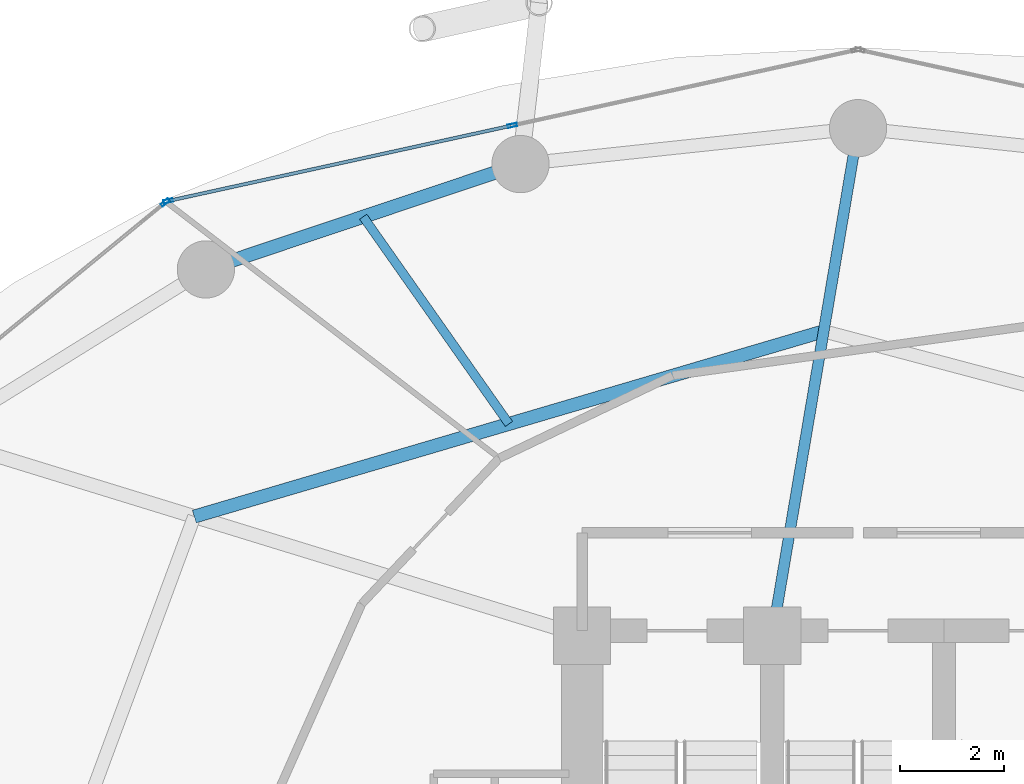
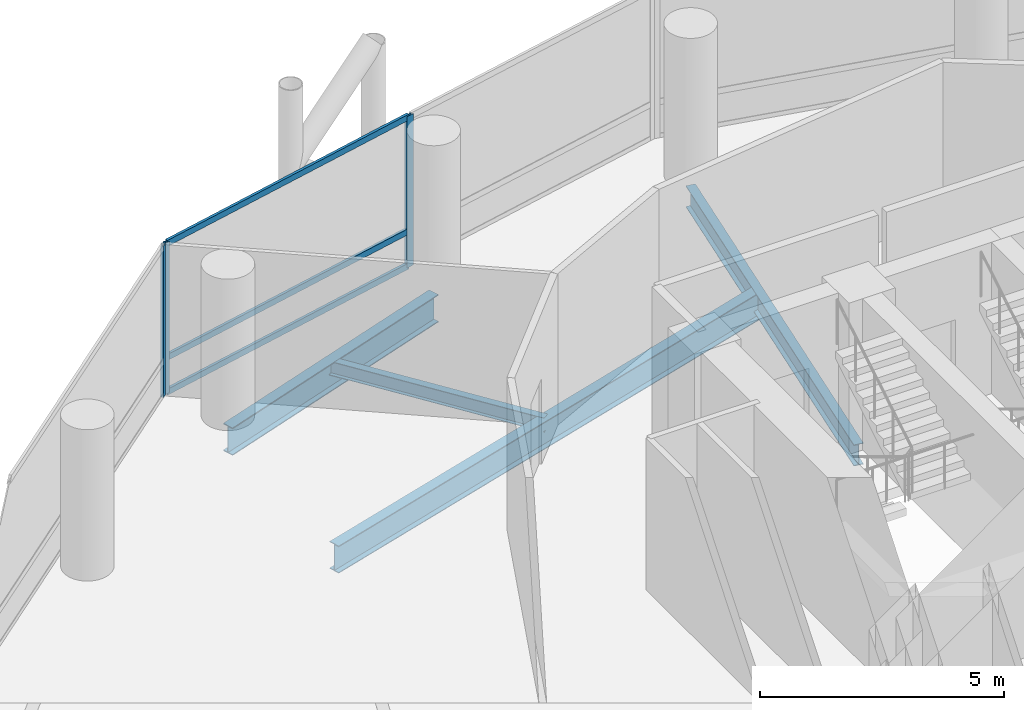
# One storey, part 15 of 24: 6 members, 4 beams, 2 elements without a shape of their own.
"""IFC4 building model written with IfcOpenShell, lengths in metres."""

from ifc_helpers import new_model, si_unit, direction, frame, origin, origin_2d, place, context, subcontext, project, spatial, hollow_rectangle, i_section, extrude, material, layer, layer_set, material_profile, profile_set, type_object, element, aggregate, save


model = new_model("IFC4")

# Units and contexts
model_context = context("Model", 3, precision=1e-05, world=origin(), true_north=direction((0.0, 1.0)))
body_context = subcontext(model_context, "Body", "Model", "MODEL_VIEW")
ifc_project = project(units=[si_unit("LENGTHUNIT", "METRE"), si_unit("AREAUNIT", "SQUARE_METRE"), si_unit("VOLUMEUNIT", "CUBIC_METRE"), si_unit("PLANEANGLEUNIT", "RADIAN"), si_unit("MASSUNIT", "GRAM", prefix="KILO")], contexts=[model_context])

# Site, building, storey
site_placement = place(None, origin())
site = spatial("IfcSite", under=ifc_project, at=site_placement, CompositionType="ELEMENT")
building_placement = place(site_placement, origin())
building = spatial("IfcBuilding", under=site, at=building_placement, Name="Nuhasar Tower", CompositionType="ELEMENT")
storey_placement = place(building_placement, frame((0.0, 0.0, 41.25)))
storey = spatial("IfcBuildingStorey", under=building, at=storey_placement, Name="L09", CompositionType="ELEMENT", Elevation=41.25)

# Beams
ifc_material_1 = material(Name="Steel S355", Category="steel")
ifc_material_profile_1 = material_profile(ifc_material_1, i_section(OverallWidth=0.25390625, OverallDepth=0.68408203125, WebThickness=0.012451171875, FlangeThickness=0.018798828125, at=origin_2d()), Name="W27X94")
ifc_profile_set_1 = profile_set([ifc_material_profile_1], Name="Steel S355")
beam_type_1 = type_object("IfcBeamType", Name="BM-INRING-W27X94", PredefinedType="BEAM", material=ifc_profile_set_1)
beam_1_placement = place(storey_placement, frame((38.340087890625, 43.14990234375, -0.60205078125), z_axis=(-0.959290190666, -0.28242225495, 0.0), x_axis=(0.28242225495, -0.959290190666, 0.0)))
element("IfcBeam", 1, at=beam_1_placement, inside=storey, type_object=beam_type_1, Name="L09 Inner Header Beam 06", PredefinedType="BEAM", context=body_context, shape_type="SweptSolid", body=[
    extrude(i_section(OverallWidth=0.25390625, OverallDepth=0.68408203125, WebThickness=0.012451171875, FlangeThickness=0.018798828125, at=origin_2d()), origin(), (0.0, 0.0, 1.0), 12.60107421875),
])
ifc_material_profile_2 = material_profile(ifc_material_1, i_section(OverallWidth=0.1708984375, OverallDepth=0.35205078125, WebThickness=0.0068359375, FlangeThickness=0.009765625, at=origin_2d()), Name="W14X30")
ifc_profile_set_2 = profile_set([ifc_material_profile_2], Name="Steel S355")
beam_type_2 = type_object("IfcBeamType", Name="BM-JST-W14X30", PredefinedType="JOIST", material=ifc_profile_set_2)
beam_2_placement = place(storey_placement, frame((32.2958984375, 41.3701171875, -0.43603515625), z_axis=(-0.575461088141, 0.817829160666, 0.0), x_axis=(-0.817829160666, -0.575461088141, 0.0)))
element("IfcBeam", 2, at=beam_2_placement, inside=storey, type_object=beam_type_2, Name="L09 Secondary Floor Joist 06", PredefinedType="JOIST", context=body_context, shape_type="SweptSolid", body=[
    extrude(i_section(OverallWidth=0.1708984375, OverallDepth=0.35205078125, WebThickness=0.0068359375, FlangeThickness=0.009765625, at=origin_2d()), origin(), (0.0, 0.0, 1.0), 4.865234375),
])
ifc_material_profile_3 = material_profile(ifc_material_1, i_section(OverallWidth=0.208984375, OverallDepth=0.532958984375, WebThickness=0.01025390625, FlangeThickness=0.015625, at=origin_2d()), Name="W21X62")
ifc_profile_set_3 = profile_set([ifc_material_profile_3], Name="Steel S355")
beam_type_3 = type_object("IfcBeamType", Name="BM-RAD-W21X62", PredefinedType="BEAM", material=ifc_profile_set_3)
beam_3_placement = place(storey_placement, frame((37.35009765625, 37.300048828125, -0.52587890625), z_axis=(0.166848703013, 0.98598251014, 0.0), x_axis=(-0.98598251014, 0.166848703013, 0.0)))
element("IfcBeam", 3, at=beam_3_placement, inside=storey, type_object=beam_type_3, Name="L09 Radial Floor Girder 06", PredefinedType="BEAM", context=body_context, shape_type="SweptSolid", body=[
    extrude(i_section(OverallWidth=0.208984375, OverallDepth=0.532958984375, WebThickness=0.01025390625, FlangeThickness=0.015625, at=origin_2d()), origin(), (0.0, 0.0, 1.0), 9.888671875),
])
ifc_material_profile_4 = material_profile(ifc_material_1, i_section(OverallWidth=0.256103515625, OverallDepth=0.693115234375, WebThickness=0.014404296875, FlangeThickness=0.023681640625, at=origin_2d()), Name="W27X114")
ifc_profile_set_4 = profile_set([ifc_material_profile_4], Name="Steel S355")
beam_type_4 = type_object("IfcBeamType", Name="BM-RING-W27X114", PredefinedType="SPANDREL", material=ifc_profile_set_4)
beam_4_placement = place(storey_placement, frame((32.51708984375, 46.360107421875, -0.60595703125), z_axis=(-0.948249435708, -0.317526388949, 0.0), x_axis=(0.317526388949, -0.948249435708, 0.0)))
element("IfcBeam", 4, at=beam_4_placement, inside=storey, type_object=beam_type_4, Name="L09 Perimeter Ring Spandrel 08", PredefinedType="SPANDREL", context=body_context, shape_type="SweptSolid", body=[
    extrude(i_section(OverallWidth=0.256103515625, OverallDepth=0.693115234375, WebThickness=0.014404296875, FlangeThickness=0.023681640625, at=origin_2d()), origin(), (0.0, 0.0, 1.0), 6.371826171875),
])

# Curtain wall, members
ifc_material_2 = material(Name="Aluminium 6063-T6", Category="aluminium")
ifc_layer = layer(ifc_material_2, 0.199951171875)
ifc_layer_set = layer_set([ifc_layer], Name="Aluminium 6063-T6")
curtain_wall_type = type_object("IfcCurtainWallType", Name="CW-Z1-OFF", PredefinedType="NOTDEFINED", material=ifc_layer_set)
curtain_wall_1_placement = place(storey_placement, origin())
curtain_wall_1 = element("IfcCurtainWall", 5, at=curtain_wall_1_placement, inside=storey, type_object=curtain_wall_type, Name="L09 Unitised Curtain Wall 04", PredefinedType="NOTDEFINED")
ifc_material_profile_5 = material_profile(ifc_material_2, hollow_rectangle(XDim=0.06494140625, YDim=0.179931640625, WallThickness=0.0048828125, at=origin_2d()), Name="CWM-2")
ifc_profile_set_5 = profile_set([ifc_material_profile_5], Name="Aluminium 6063-T6")
member_type_1 = type_object("IfcMemberType", Name="CW-MUL-S2", PredefinedType="MULLION", material=ifc_profile_set_5)
member_1_placement = place(storey_placement, frame((32.360107421875, 47.1025390625, 0.0), z_axis=(0.0, 0.0, 1.0), x_axis=(0.214398737637, -0.976746221544, 0.0)))
member_1 = element("IfcMember", 6, at=member_1_placement, type_object=member_type_1, Name="CW-Z1 mullion 2", PredefinedType="MULLION", context=body_context, shape_type="SweptSolid", body=[
    extrude(hollow_rectangle(XDim=0.06494140625, YDim=0.179931640625, WallThickness=0.0048828125, at=origin_2d()), origin(), (0.0, 0.0, 1.0), 3.7900390625),
])
member_2_placement = place(storey_placement, frame((25.751708984375, 45.65185546875, 0.0), z_axis=(0.0, 0.0, 1.0), x_axis=(0.214398737637, -0.976746221544, 0.0)))
member_2 = element("IfcMember", 7, at=member_2_placement, type_object=member_type_1, Name="CW-Z1 mullion 3", PredefinedType="MULLION", context=body_context, shape_type="SweptSolid", body=[
    extrude(hollow_rectangle(XDim=0.06494140625, YDim=0.179931640625, WallThickness=0.0048828125, at=origin_2d()), origin(), (0.0, 0.0, 1.0), 3.7900390625),
])

# Curtain wall, member
curtain_wall_2_placement = place(storey_placement, origin())
curtain_wall_2 = element("IfcCurtainWall", 8, at=curtain_wall_2_placement, inside=storey, type_object=curtain_wall_type, Name="L09 Unitised Curtain Wall 05", PredefinedType="NOTDEFINED")
member_3_placement = place(storey_placement, frame((25.69482421875, 45.62451171875, 0.0), z_axis=(0.0, 0.0, 1.0), x_axis=(0.633744593376, -0.773542364946, 0.0)))
member_3 = element("IfcMember", 9, at=member_3_placement, type_object=member_type_1, Name="CW-Z1 mullion 1", PredefinedType="MULLION", context=body_context, shape_type="SweptSolid", body=[
    extrude(hollow_rectangle(XDim=0.06494140625, YDim=0.179931640625, WallThickness=0.0048828125, at=origin_2d()), origin(), (0.0, 0.0, 1.0), 3.7900390625),
])
aggregate(curtain_wall_2, [member_3])

# Member
ifc_material_profile_6 = material_profile(ifc_material_2, hollow_rectangle(XDim=0.06494140625, YDim=0.14990234375, WallThickness=0.00439453125, at=origin_2d()), Name="CWT-2")
ifc_profile_set_6 = profile_set([ifc_material_profile_6], Name="Aluminium 6063-T6")
member_type_2 = type_object("IfcMemberType", Name="CW-TRN-S2", PredefinedType="USERDEFINED", material=ifc_profile_set_6)
member_4_placement = place(storey_placement, frame((32.328369140625, 47.095458984375, 0.032470703125), z_axis=(-0.976749553792, -0.214383556196, 0.0), x_axis=(0.214383556196, -0.976749553792, 0.0)))
member_4 = element("IfcMember", 10, at=member_4_placement, type_object=member_type_2, Name="CW-Z1 transom 2.1", ObjectType="TRANSOM", PredefinedType="USERDEFINED", context=body_context, shape_type="SweptSolid", body=[
    extrude(hollow_rectangle(XDim=0.06494140625, YDim=0.14990234375, WallThickness=0.00439453125, at=origin_2d()), origin(), (0.0, 0.0, 1.0), 6.70068359375),
])

member_5_placement = place(storey_placement, frame((32.328369140625, 47.095458984375, 0.89990234375), z_axis=(-0.976749553792, -0.214383556196, 0.0), x_axis=(0.214383556196, -0.976749553792, 0.0)))
member_5 = element("IfcMember", 11, at=member_5_placement, type_object=member_type_2, Name="CW-Z1 transom 2.2", ObjectType="TRANSOM", PredefinedType="USERDEFINED", context=body_context, shape_type="SweptSolid", body=[
    extrude(hollow_rectangle(XDim=0.06494140625, YDim=0.14990234375, WallThickness=0.00439453125, at=origin_2d()), origin(), (0.0, 0.0, 1.0), 6.70068359375),
])

member_6_placement = place(storey_placement, frame((32.328369140625, 47.095458984375, 3.757568359375), z_axis=(-0.976749553792, -0.214383556196, 0.0), x_axis=(0.214383556196, -0.976749553792, 0.0)))
member_6 = element("IfcMember", 12, at=member_6_placement, type_object=member_type_2, Name="CW-Z1 transom 2.3", ObjectType="TRANSOM", PredefinedType="USERDEFINED", context=body_context, shape_type="SweptSolid", body=[
    extrude(hollow_rectangle(XDim=0.06494140625, YDim=0.14990234375, WallThickness=0.00439453125, at=origin_2d()), origin(), (0.0, 0.0, 1.0), 6.70068359375),
])

aggregate(curtain_wall_1, [member_1, member_2, member_4, member_5, member_6])

save(model, "model.ifc")
